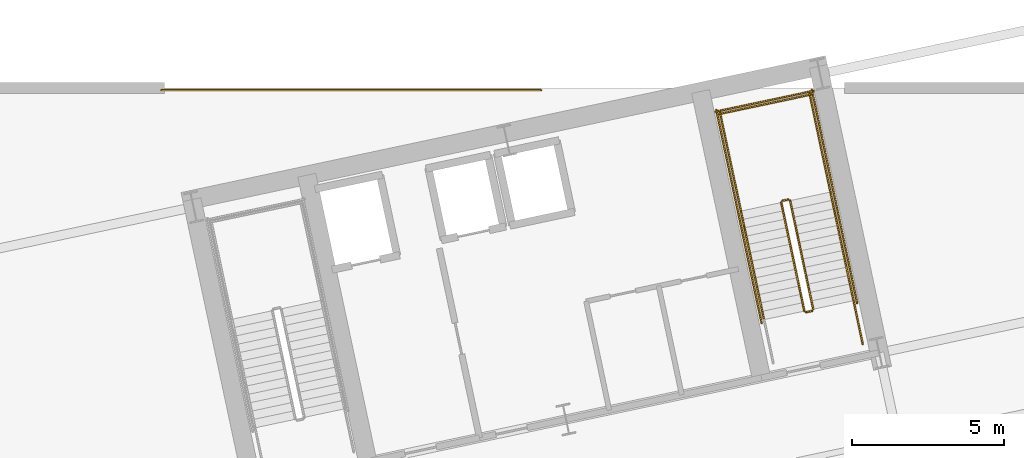
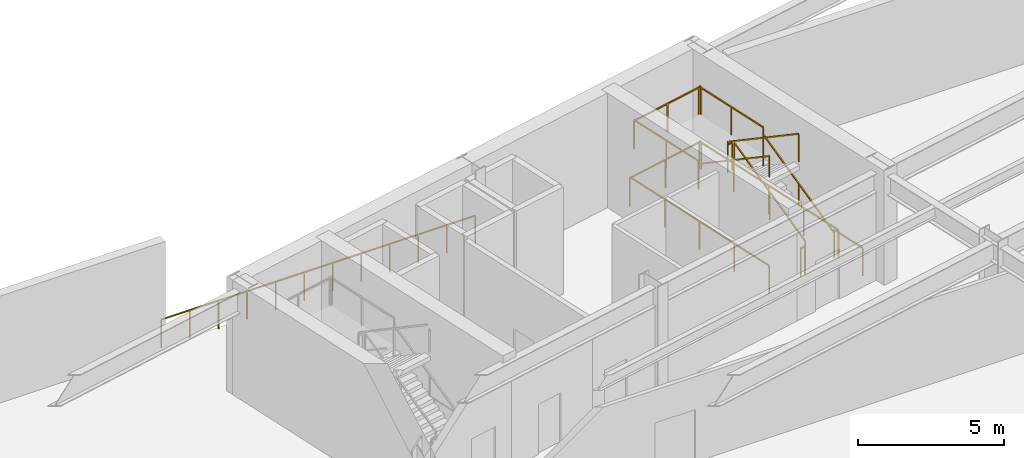
# One storey, part 30 of 30: 14 railings.
"""IFC4 building model written with IfcOpenShell, lengths in metres."""

import ifcopenshell
import ifcopenshell.guid

model = None  # the IFC model being written
_history = None  # IfcOwnerHistory: only IFC2X3 demands one
_inside = {}  # id of a spatial element -> (the spatial element, [elements in it])
_under = {}  # id of a project, library or spatial element -> (it, [spatial elements below it])
_declared = {}  # id of a project -> (the project, [libraries it declares])
_typed = {}  # id of a type object -> (the type object, [elements of that type])
_made_of = {}  # id of a material, layer set ... -> (it, [elements and type objects made of it])


def new_model(schema):
    """Start an empty IFC model of exactly this schema.

    Asked for "IFC4X3", IfcOpenShell would pick the latest addendum, in which some entities
    have other attributes; the version numbers below select the first issue.
    IFC2X3 requires an IfcOwnerHistory on every rooted entity: one is made here for all.
    """
    global model, _history
    if schema == "IFC4X3":
        model = ifcopenshell.file(schema_version=(4, 3, 0, 0))
    else:
        model = ifcopenshell.file(schema=schema)
    _inside.clear()
    _under.clear()
    _declared.clear()
    _typed.clear()
    _made_of.clear()
    _history = None
    if model.schema == "IFC2X3":
        org = make("IfcOrganization", Name="unknown")
        user = make(
            "IfcPersonAndOrganization",
            ThePerson=make("IfcPerson", FamilyName="unknown"),
            TheOrganization=org,
        )
        app = make(
            "IfcApplication",
            ApplicationDeveloper=org,
            Version="unknown",
            ApplicationFullName="unknown",
            ApplicationIdentifier="unknown",
        )
        _history = make(
            "IfcOwnerHistory",
            OwningUser=user,
            OwningApplication=app,
            ChangeAction="ADDED",
            CreationDate=0,
        )
    return model


def make(cls, **values):
    """One entity of the class cls with the attributes given. An attribute that is None is left unset."""
    return model.create_entity(
        cls, **{name: value for name, value in values.items() if value is not None}
    )


def rooted(cls, **values):
    """An entity with a GlobalId (a new one), such as an element, a storey or a relation."""
    return make(cls, GlobalId=ifcopenshell.guid.new(), OwnerHistory=_history, **values)


def si_unit(unit_type, name, prefix=None):
    """IfcSIUnit, for example si_unit("LENGTHUNIT", "METRE", prefix="MILLI")."""
    return make("IfcSIUnit", UnitType=unit_type, Prefix=prefix, Name=name)


def assignment(units):
    """IfcUnitAssignment: the units of a project."""
    return None if units is None else make("IfcUnitAssignment", Units=units)


def point(xyz):
    """IfcCartesianPoint."""
    return None if xyz is None else make("IfcCartesianPoint", Coordinates=xyz)


def direction(xyz):
    """IfcDirection."""
    return None if xyz is None else make("IfcDirection", DirectionRatios=xyz)


def frame(location, z_axis=None, x_axis=None):
    """IfcAxis2Placement3D, a coordinate frame: its origin and axes. An axis left out is left unset."""
    return make(
        "IfcAxis2Placement3D",
        Location=point(location),
        Axis=direction(z_axis),
        RefDirection=direction(x_axis),
    )


def frame_2d(location, x_axis=None):
    """IfcAxis2Placement2D, a coordinate frame in the plane: its origin and x axis."""
    return make(
        "IfcAxis2Placement2D", Location=point(location), RefDirection=direction(x_axis)
    )


def origin():
    """The frame at (0, 0, 0) with its axes left unset."""
    return frame((0.0, 0.0, 0.0))


def origin_2d():
    """The frame at (0, 0) in the plane with its x axis left unset."""
    return frame_2d((0.0, 0.0))


def place(relative_to, where):
    """IfcLocalPlacement: puts the frame where relative to a parent placement (None: the world)."""
    return make(
        "IfcLocalPlacement", PlacementRelTo=relative_to, RelativePlacement=where
    )


def context(
    kind, dimensions, precision=None, world=None, true_north=None, identifier=None
):
    """IfcGeometricRepresentationContext, for example the 3D "Model" context."""
    return make(
        "IfcGeometricRepresentationContext",
        ContextIdentifier=identifier,
        ContextType=kind,
        CoordinateSpaceDimension=dimensions,
        Precision=precision,
        WorldCoordinateSystem=world,
        TrueNorth=true_north,
    )


def subcontext(parent, identifier, kind, view, scale=None):
    """IfcGeometricRepresentationSubContext, for example "Body" below "Model"."""
    return make(
        "IfcGeometricRepresentationSubContext",
        ContextIdentifier=identifier,
        ContextType=kind,
        ParentContext=parent,
        TargetScale=scale,
        TargetView=view,
    )


def project(units=None, contexts=None):
    """IfcProject with its units and contexts."""
    return rooted(
        "IfcProject",
        Name="project",
        RepresentationContexts=contexts,
        UnitsInContext=assignment(units),
    )


def spatial(cls, under=None, at=None, **own):
    """A site, building, storey or space (cls), placed at a placement, below another one or the project."""
    s = rooted(cls, ObjectPlacement=at, **own)
    if under is not None:
        _under.setdefault(under.id(), (under, []))[1].append(s)
    return s


def profile(cls, at=None, kind="AREA", **sizes):
    """A parametric profile (cls). Its sizes go by their IFC names, for example OverallWidth=200.0."""
    return make(cls, ProfileType=kind, Position=at, **sizes)


def rectangle(**sizes):
    """IfcRectangleProfileDef."""
    return profile("IfcRectangleProfileDef", **sizes)


def extrude(swept, where, along, depth):
    """IfcExtrudedAreaSolid: the profile swept, set in the frame where, extruded along a direction by depth."""
    return make(
        "IfcExtrudedAreaSolid",
        SweptArea=swept,
        Position=where,
        ExtrudedDirection=direction(along),
        Depth=depth,
    )


def shape(context_of_items, identifier, shape_type, items):
    """IfcShapeRepresentation: the items that make up one representation, for example the "Body"."""
    return make(
        "IfcShapeRepresentation",
        ContextOfItems=context_of_items,
        RepresentationIdentifier=identifier,
        RepresentationType=shape_type,
        Items=items,
    )


def material(Name=None, Category=None):
    """IfcMaterial."""
    return make("IfcMaterial", Name=Name, Category=Category)


def made_of(thing, what):
    """Note that an element or type object is made of a material, layer set ...; save() writes the relation."""
    if what is not None:
        _made_of.setdefault(what.id(), (what, []))[1].append(thing)
    return thing


def type_object(cls, material=None, **own):
    """A type object (cls), such as IfcWallType, which elements share."""
    return made_of(rooted(cls, **own), material)


def element(
    cls,
    number,
    at=None,
    inside=None,
    cuts=None,
    type_object=None,
    material=None,
    context=None,
    identifier="Body",
    shape_type=None,
    held_by="IfcProductDefinitionShape",
    body=None,
    shapes=None,
    **own,
):
    """One element of the class cls, such as IfcWall. Its Tag is "e" and its number.

    at: its placement. inside: the storey or other place that contains it. cuts: it is an
    opening in that element (IfcRelVoidsElement). A single representation is given by context,
    identifier, shape_type and body (its items); several are given by shapes. held_by: the class
    of the entity that holds the representations. save() writes the other relations.
    """
    e = rooted(cls, Tag="e%d" % number, ObjectPlacement=at, **own)
    if body is not None:
        shapes = [shape(context, identifier, shape_type, body)]
    if shapes is not None:
        e.Representation = make(held_by, Representations=shapes)
    if inside is not None:
        _inside.setdefault(inside.id(), (inside, []))[1].append(e)
    if cuts is not None:
        rooted(
            "IfcRelVoidsElement", RelatingBuildingElement=cuts, RelatedOpeningElement=e
        )
    if type_object is not None:
        _typed.setdefault(type_object.id(), (type_object, []))[1].append(e)
    return made_of(e, material)


def aggregate(whole, parts):
    """IfcRelAggregates: a whole, such as a stair, and the parts it consists of."""
    return rooted("IfcRelAggregates", RelatingObject=whole, RelatedObjects=parts)


def save(model, path):
    """Write the relations noted so far, then the file.

    IfcRelAggregates (storeys below a building ...), IfcRelContainedInSpatialStructure (elements
    in a storey), IfcRelDefinesByType, IfcRelAssociatesMaterial and IfcRelDeclares: one each for
    every whole, place, type object, material and project.
    """
    for whole, parts in _under.values():
        aggregate(whole, parts)
    for where, things in _inside.values():
        rooted(
            "IfcRelContainedInSpatialStructure",
            RelatedElements=things,
            RelatingStructure=where,
        )
    for kind, things in _typed.values():
        rooted("IfcRelDefinesByType", RelatedObjects=things, RelatingType=kind)
    for what, things in _made_of.values():
        rooted("IfcRelAssociatesMaterial", RelatedObjects=things, RelatingMaterial=what)
    for by, libraries in _declared.values():
        rooted("IfcRelDeclares", RelatingContext=by, RelatedDefinitions=libraries)
    model.write(path)


model = new_model("IFC4")

# Units and contexts
model_context = context("Model", 3, precision=1e-05, world=origin(), true_north=direction((0.0, 1.0)))
body_context = subcontext(model_context, "Body", "Model", "MODEL_VIEW")
ifc_project = project(units=[si_unit("LENGTHUNIT", "METRE"), si_unit("AREAUNIT", "SQUARE_METRE"), si_unit("VOLUMEUNIT", "CUBIC_METRE"), si_unit("PLANEANGLEUNIT", "RADIAN"), si_unit("MASSUNIT", "GRAM", prefix="KILO")], contexts=[model_context])

# Site, building, storey
site_placement = place(None, origin())
site = spatial("IfcSite", under=ifc_project, at=site_placement, CompositionType="ELEMENT")
building_placement = place(site_placement, origin())
building = spatial("IfcBuilding", under=site, at=building_placement, Name="Haevon Station Towers", CompositionType="ELEMENT")
storey_placement = place(building_placement, frame((0.0, 0.0, 15.60009765625)))
storey = spatial("IfcBuildingStorey", under=building, at=storey_placement, Name="L03", CompositionType="ELEMENT", Elevation=15.60009765625)

# Railings
ifc_material = material(Name="Steel S355", Category="steel")
railing_type_1 = type_object("IfcRailingType", Name="GRD-EXT1200", PredefinedType="GUARDRAIL", material=ifc_material)
railing_1_placement = place(storey_placement, frame((95.75, 50.419921875, 0.0)))
element("IfcRailing", 1, at=railing_1_placement, inside=storey, type_object=railing_type_1, Name="L03 North Podium Edge Guardrail", PredefinedType="GUARDRAIL", context=body_context, shape_type="SweptSolid", body=[
    extrude(rectangle(XDim=0.048095703125, YDim=0.048095703125, at=origin_2d()), frame((0.0, 0.0, 1.17578125), z_axis=(1.0, 0.0, 0.0), x_axis=(0.0, 1.0, 0.0)), (0.0, 0.0, 1.0), 12.449951171875),
    extrude(rectangle(XDim=0.0419921875, YDim=0.0419921875, at=origin_2d()), origin(), (0.0, 0.0, 1.0), 1.15185546875),
    extrude(rectangle(XDim=0.0419921875, YDim=0.0419921875, at=origin_2d()), frame((1.1318359375, 0.0, 0.0)), (0.0, 0.0, 1.0), 1.15185546875),
    extrude(rectangle(XDim=0.0419921875, YDim=0.0419921875, at=origin_2d()), frame((2.263671875, 0.0, 0.0)), (0.0, 0.0, 1.0), 1.15185546875),
    extrude(rectangle(XDim=0.0419921875, YDim=0.0419921875, at=origin_2d()), frame((3.3955078125, 0.0, 0.0)), (0.0, 0.0, 1.0), 1.15185546875),
    extrude(rectangle(XDim=0.0419921875, YDim=0.0419921875, at=origin_2d()), frame((4.52734375, 0.0, 0.0)), (0.0, 0.0, 1.0), 1.15185546875),
    extrude(rectangle(XDim=0.0419921875, YDim=0.0419921875, at=origin_2d()), frame((5.6591796875, 0.0, 0.0)), (0.0, 0.0, 1.0), 1.15185546875),
    extrude(rectangle(XDim=0.0419921875, YDim=0.0419921875, at=origin_2d()), frame((6.790771484375, 0.0, 0.0)), (0.0, 0.0, 1.0), 1.15185546875),
    extrude(rectangle(XDim=0.0419921875, YDim=0.0419921875, at=origin_2d()), frame((7.922607421875, 0.0, 0.0)), (0.0, 0.0, 1.0), 1.15185546875),
    extrude(rectangle(XDim=0.0419921875, YDim=0.0419921875, at=origin_2d()), frame((9.054443359375, 0.0, 0.0)), (0.0, 0.0, 1.0), 1.15185546875),
    extrude(rectangle(XDim=0.0419921875, YDim=0.0419921875, at=origin_2d()), frame((10.186279296875, 0.0, 0.0)), (0.0, 0.0, 1.0), 1.15185546875),
    extrude(rectangle(XDim=0.0419921875, YDim=0.0419921875, at=origin_2d()), frame((11.318115234375, 0.0, 0.0)), (0.0, 0.0, 1.0), 1.15185546875),
    extrude(rectangle(XDim=0.0419921875, YDim=0.0419921875, at=origin_2d()), frame((12.449951171875, 0.0, 0.0)), (0.0, 0.0, 1.0), 1.15185546875),
])
railing_type_2 = type_object("IfcRailingType", Name="GRD-STR1200", PredefinedType="GUARDRAIL", material=ifc_material)
railing_2_placement = place(storey_placement, frame((117.128662109375, 43.23974609375, 0.17138671875)))
element("IfcRailing", 2, at=railing_2_placement, inside=storey, type_object=railing_type_2, Name="L03 ST4 Stair Guard 1", PredefinedType="GUARDRAIL", context=body_context, shape_type="SweptSolid", body=[
    extrude(rectangle(XDim=0.048095703125, YDim=0.048095703125, at=origin_2d()), frame((0.0, 0.0, 1.17578125), z_axis=(-0.177324344861, 0.834225240467, 0.522134393512), x_axis=(-0.978146576304, -0.207916510322, 0.0)), (0.0, 0.0, 1.0), 4.26806640625),
    extrude(rectangle(XDim=0.0419921875, YDim=0.0419921875, at=origin_2d()), origin(), (0.0, 0.0, 1.0), 1.15185546875),
    extrude(rectangle(XDim=0.0419921875, YDim=0.0419921875, at=origin_2d()), frame((-0.37841796875, 1.7802734375, 1.1142578125)), (0.0, 0.0, 1.0), 1.15185546875),
    extrude(rectangle(XDim=0.0419921875, YDim=0.0419921875, at=origin_2d()), frame((-0.7568359375, 3.560546875, 2.228515625)), (0.0, 0.0, 1.0), 1.15185546875),
])
railing_3_placement = place(storey_placement, frame((116.3125, 46.838623046875, 2.39990234375)))
element("IfcRailing", 3, at=railing_3_placement, inside=storey, type_object=railing_type_2, Name="L03 ST4 Stair Guard 2", PredefinedType="GUARDRAIL", context=body_context, shape_type="SweptSolid", body=[
    extrude(rectangle(XDim=0.048095703125, YDim=0.048095703125, at=origin_2d()), frame((0.0, 0.0, 1.17578125), z_axis=(-0.978211583308, -0.207610448392, 0.0), x_axis=(0.207610448392, -0.978211583308, 0.0)), (0.0, 0.0, 1.0), 0.199951171875),
    extrude(rectangle(XDim=0.0419921875, YDim=0.0419921875, at=origin_2d()), origin(), (0.0, 0.0, 1.0), 1.15185546875),
    extrude(rectangle(XDim=0.0419921875, YDim=0.0419921875, at=origin_2d()), frame((-0.195556640625, -0.04150390625, 0.0)), (0.0, 0.0, 1.0), 1.15185546875),
])
for number, where, name in (
    (4, (117.6923828125, 47.080810546875, 2.39990234375), "L03 ST4 Stair Guard 3"),
    (5, (114.7578125, 46.45703125, 2.39990234375), "L03 ST4 Stair Guard 4"),
):
    element("IfcRailing", number, at=place(storey_placement, frame(where)), inside=storey, type_object=railing_type_2, Name=name, PredefinedType="GUARDRAIL", context=body_context, shape_type="SweptSolid", body=[
        extrude(rectangle(XDim=0.048095703125, YDim=0.048095703125, at=origin_2d()), frame((0.0, 0.0, 1.17578125), z_axis=(-0.207916974835, 0.978146477566, 0.0), x_axis=(-0.978146477566, -0.207916974835, 0.0)), (0.0, 0.0, 1.0), 3.31005859375),
        extrude(rectangle(XDim=0.0419921875, YDim=0.0419921875, at=origin_2d()), origin(), (0.0, 0.0, 1.0), 1.15185546875),
        extrude(rectangle(XDim=0.0419921875, YDim=0.0419921875, at=origin_2d()), frame((-0.34423828125, 1.618896484375, 0.0)), (0.0, 0.0, 1.0), 1.15185546875),
        extrude(rectangle(XDim=0.0419921875, YDim=0.0419921875, at=origin_2d()), frame((-0.688232421875, 3.23779296875, 0.0)), (0.0, 0.0, 1.0), 1.15185546875),
    ])
railing_4_placement = place(storey_placement, frame((117.0634765625, 50.280029296875, 2.39990234375)))
element("IfcRailing", 6, at=railing_4_placement, inside=storey, type_object=railing_type_2, Name="L03 ST4 Stair Guard 5", PredefinedType="GUARDRAIL", context=body_context, shape_type="SweptSolid", body=[
    extrude(rectangle(XDim=0.048095703125, YDim=0.048095703125, at=origin_2d()), frame((0.0, 0.0, 1.17578125), z_axis=(-0.978146839882, -0.207915270313, 0.0), x_axis=(0.207915270313, -0.978146839882, 0.0)), (0.0, 0.0, 1.0), 3.099853515625),
    extrude(rectangle(XDim=0.0419921875, YDim=0.0419921875, at=origin_2d()), origin(), (0.0, 0.0, 1.0), 1.15185546875),
    extrude(rectangle(XDim=0.0419921875, YDim=0.0419921875, at=origin_2d()), frame((-1.51611328125, -0.322265625, 0.0)), (0.0, 0.0, 1.0), 1.15185546875),
    extrude(rectangle(XDim=0.0419921875, YDim=0.0419921875, at=origin_2d()), frame((-3.0322265625, -0.64453125, 0.0)), (0.0, 0.0, 1.0), 1.15185546875),
])
railing_5_placement = place(storey_placement, frame((116.078369140625, 46.73779296875, 2.5712890625)))
element("IfcRailing", 7, at=railing_5_placement, inside=storey, type_object=railing_type_2, Name="L03 ST4 Stair Guard 6", PredefinedType="GUARDRAIL", context=body_context, shape_type="SweptSolid", body=[
    extrude(rectangle(XDim=0.048095703125, YDim=0.048095703125, at=origin_2d()), frame((0.0, 0.0, 1.17578125), z_axis=(0.177324344861, -0.834225240467, 0.522134393512), x_axis=(0.978146576304, 0.207916510322, 0.0)), (0.0, 0.0, 1.0), 4.26806640625),
    extrude(rectangle(XDim=0.0419921875, YDim=0.0419921875, at=origin_2d()), origin(), (0.0, 0.0, 1.0), 1.15185546875),
    extrude(rectangle(XDim=0.0419921875, YDim=0.0419921875, at=origin_2d()), frame((0.37841796875, -1.7802734375, 1.1142578125)), (0.0, 0.0, 1.0), 1.15185546875),
    extrude(rectangle(XDim=0.0419921875, YDim=0.0419921875, at=origin_2d()), frame((0.7568359375, -3.560546875, 2.228515625)), (0.0, 0.0, 1.0), 1.15185546875),
])
railing_6_placement = place(storey_placement, frame((117.090087890625, 43.180419921875, 0.0)))
element("IfcRailing", 8, at=railing_6_placement, inside=storey, type_object=railing_type_2, Name="L03 ST4 Stair Guard 7", PredefinedType="GUARDRAIL", context=body_context, shape_type="SweptSolid", body=[
    extrude(rectangle(XDim=0.048095703125, YDim=0.048095703125, at=origin_2d()), frame((0.0, 0.0, 1.17578125), z_axis=(-0.978211583308, -0.207610448392, 0.0), x_axis=(0.207610448392, -0.978211583308, 0.0)), (0.0, 0.0, 1.0), 0.199951171875),
    extrude(rectangle(XDim=0.0419921875, YDim=0.0419921875, at=origin_2d()), origin(), (0.0, 0.0, 1.0), 1.15185546875),
    extrude(rectangle(XDim=0.0419921875, YDim=0.0419921875, at=origin_2d()), frame((-0.195556640625, -0.04150390625, 0.0)), (0.0, 0.0, 1.0), 1.15185546875),
])
railing_7_placement = place(storey_placement, frame((118.75048828125, 42.10205078125, 0.0)))
element("IfcRailing", 9, at=railing_7_placement, inside=storey, type_object=railing_type_2, Name="L03 ST4 Stair Guard 8", PredefinedType="GUARDRAIL", context=body_context, shape_type="SweptSolid", body=[
    extrude(rectangle(XDim=0.048095703125, YDim=0.048095703125, at=origin_2d()), frame((0.0, 0.0, 1.17578125), z_axis=(-0.207919161079, 0.978146012851, 0.0), x_axis=(-0.978146012851, -0.207919161079, 0.0)), (0.0, 0.0, 1.0), 1.4501953125),
    extrude(rectangle(XDim=0.0419921875, YDim=0.0419921875, at=origin_2d()), origin(), (0.0, 0.0, 1.0), 1.15185546875),
    extrude(rectangle(XDim=0.0419921875, YDim=0.0419921875, at=origin_2d()), frame((-0.301513671875, 1.41845703125, 0.0)), (0.0, 0.0, 1.0), 1.15185546875),
])
railing_8_placement = place(storey_placement, frame((118.567626953125, 43.443359375, 0.0)))
element("IfcRailing", 10, at=railing_8_placement, inside=storey, type_object=railing_type_2, Name="L03 ST4 Stair Guard 10", PredefinedType="GUARDRAIL", context=body_context, shape_type="SweptSolid", body=[
    extrude(rectangle(XDim=0.048095703125, YDim=0.048095703125, at=origin_2d()), frame((0.0, 0.0, 1.17578125), z_axis=(-0.207908168386, 0.978148349443, 0.0), x_axis=(-0.978148349443, -0.207908168386, 0.0)), (0.0, 0.0, 1.0), 7.150146484375),
    extrude(rectangle(XDim=0.0419921875, YDim=0.0419921875, at=origin_2d()), origin(), (0.0, 0.0, 1.0), 1.15185546875),
    extrude(rectangle(XDim=0.0419921875, YDim=0.0419921875, at=origin_2d()), frame((-0.37158203125, 1.74853515625, 0.0)), (0.0, 0.0, 1.0), 1.15185546875),
    extrude(rectangle(XDim=0.0419921875, YDim=0.0419921875, at=origin_2d()), frame((-0.7431640625, 3.4970703125, 0.0)), (0.0, 0.0, 1.0), 1.15185546875),
    extrude(rectangle(XDim=0.0419921875, YDim=0.0419921875, at=origin_2d()), frame((-1.114990234375, 5.245361328125, 0.0)), (0.0, 0.0, 1.0), 1.15185546875),
    extrude(rectangle(XDim=0.0419921875, YDim=0.0419921875, at=origin_2d()), frame((-1.486572265625, 6.993896484375, 0.0)), (0.0, 0.0, 1.0), 1.15185546875),
])
railing_9_placement = place(storey_placement, frame((115.4375, 42.778076171875, 0.0)))
element("IfcRailing", 11, at=railing_9_placement, inside=storey, type_object=railing_type_2, Name="L03 ST4 Stair Guard 11", PredefinedType="GUARDRAIL", context=body_context, shape_type="SweptSolid", body=[
    extrude(rectangle(XDim=0.048095703125, YDim=0.048095703125, at=origin_2d()), frame((0.0, 0.0, 1.17578125), z_axis=(-0.207882442208, 0.978153817261, 0.0), x_axis=(-0.978153817261, -0.207882442208, 0.0)), (0.0, 0.0, 1.0), 7.14990234375),
    extrude(rectangle(XDim=0.0419921875, YDim=0.0419921875, at=origin_2d()), origin(), (0.0, 0.0, 1.0), 1.15185546875),
    extrude(rectangle(XDim=0.0419921875, YDim=0.0419921875, at=origin_2d()), frame((-0.37158203125, 1.74853515625, 0.0)), (0.0, 0.0, 1.0), 1.15185546875),
    extrude(rectangle(XDim=0.0419921875, YDim=0.0419921875, at=origin_2d()), frame((-0.7431640625, 3.496826171875, 0.0)), (0.0, 0.0, 1.0), 1.15185546875),
    extrude(rectangle(XDim=0.0419921875, YDim=0.0419921875, at=origin_2d()), frame((-1.11474609375, 5.2451171875, 0.0)), (0.0, 0.0, 1.0), 1.15185546875),
    extrude(rectangle(XDim=0.0419921875, YDim=0.0419921875, at=origin_2d()), frame((-1.486328125, 6.99365234375, 0.0)), (0.0, 0.0, 1.0), 1.15185546875),
])
railing_10_placement = place(storey_placement, frame((117.140380859375, 50.398681640625, 0.0)))
element("IfcRailing", 12, at=railing_10_placement, inside=storey, type_object=railing_type_2, Name="L03 ST4 Stair Guard 12", PredefinedType="GUARDRAIL", context=body_context, shape_type="SweptSolid", body=[
    extrude(rectangle(XDim=0.048095703125, YDim=0.048095703125, at=origin_2d()), frame((0.0, 0.0, 1.17578125), z_axis=(-0.978135717418, -0.207967589567, 0.0), x_axis=(0.207967589567, -0.978135717418, 0.0)), (0.0, 0.0, 1.0), 3.300048828125),
    extrude(rectangle(XDim=0.0419921875, YDim=0.0419921875, at=origin_2d()), origin(), (0.0, 0.0, 1.0), 1.15185546875),
    extrude(rectangle(XDim=0.0419921875, YDim=0.0419921875, at=origin_2d()), frame((-1.61376953125, -0.34326171875, 0.0)), (0.0, 0.0, 1.0), 1.15185546875),
    extrude(rectangle(XDim=0.0419921875, YDim=0.0419921875, at=origin_2d()), frame((-3.227783203125, -0.686279296875, 0.0)), (0.0, 0.0, 1.0), 1.15185546875),
])
railing_type_3 = type_object("IfcRailingType", Name="HND-STR900", PredefinedType="HANDRAIL", material=ifc_material)
railing_11_placement = place(storey_placement, frame((118.448974609375, 43.5205078125, 0.17138671875)))
element("IfcRailing", 13, at=railing_11_placement, inside=storey, type_object=railing_type_3, Name="L03 ST4 Stair Handrail 1", PredefinedType="HANDRAIL", context=body_context, shape_type="SweptSolid", body=[
    extrude(rectangle(XDim=0.048095703125, YDim=0.048095703125, at=origin_2d()), frame((0.0, 0.0, 0.8759765625), z_axis=(-0.17727740081, 0.834216307201, 0.522164606194), x_axis=(-0.978157316656, -0.207865975747, 0.0)), (0.0, 0.0, 1.0), 4.267822265625),
    extrude(rectangle(XDim=0.0419921875, YDim=0.0419921875, at=origin_2d()), origin(), (0.0, 0.0, 1.0), 0.851806640625),
    extrude(rectangle(XDim=0.0419921875, YDim=0.0419921875, at=origin_2d()), frame((-0.37841796875, 1.7802734375, 1.1142578125)), (0.0, 0.0, 1.0), 0.851806640625),
    extrude(rectangle(XDim=0.0419921875, YDim=0.0419921875, at=origin_2d()), frame((-0.756591796875, 3.560302734375, 2.228515625)), (0.0, 0.0, 1.0), 0.851806640625),
])
railing_12_placement = place(storey_placement, frame((114.7578125, 46.45703125, 2.5712890625)))
element("IfcRailing", 14, at=railing_12_placement, inside=storey, type_object=railing_type_3, Name="L03 ST4 Stair Handrail 2", PredefinedType="HANDRAIL", context=body_context, shape_type="SweptSolid", body=[
    extrude(rectangle(XDim=0.048095703125, YDim=0.048095703125, at=origin_2d()), frame((0.0, 0.0, 0.8759765625), z_axis=(0.17733280689, -0.834207846092, 0.522159310096), x_axis=(0.978143676638, 0.20793015138, 0.0)), (0.0, 0.0, 1.0), 4.267822265625),
    extrude(rectangle(XDim=0.0419921875, YDim=0.0419921875, at=origin_2d()), origin(), (0.0, 0.0, 1.0), 0.851806640625),
    extrude(rectangle(XDim=0.0419921875, YDim=0.0419921875, at=origin_2d()), frame((0.37841796875, -1.7802734375, 1.1142578125)), (0.0, 0.0, 1.0), 0.851806640625),
    extrude(rectangle(XDim=0.0419921875, YDim=0.0419921875, at=origin_2d()), frame((0.7568359375, -3.560302734375, 2.228515625)), (0.0, 0.0, 1.0), 0.851806640625),
])

save(model, "model.ifc")
